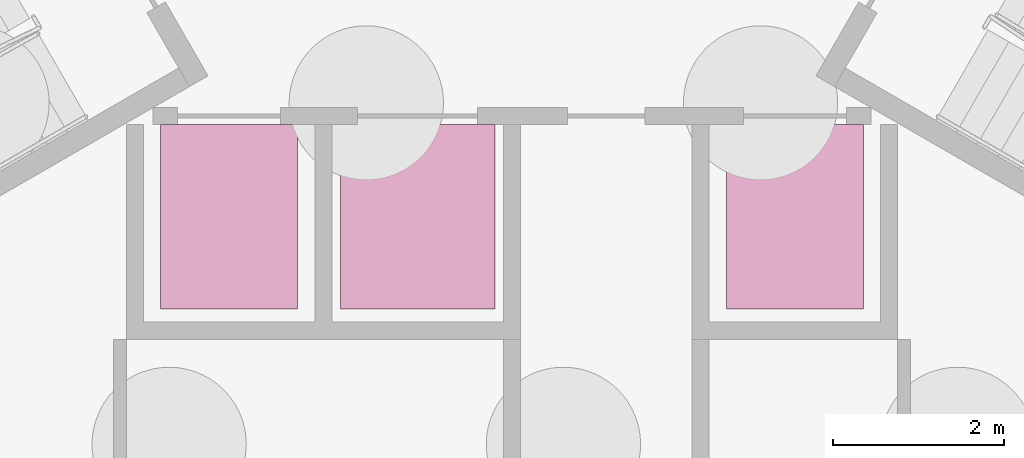
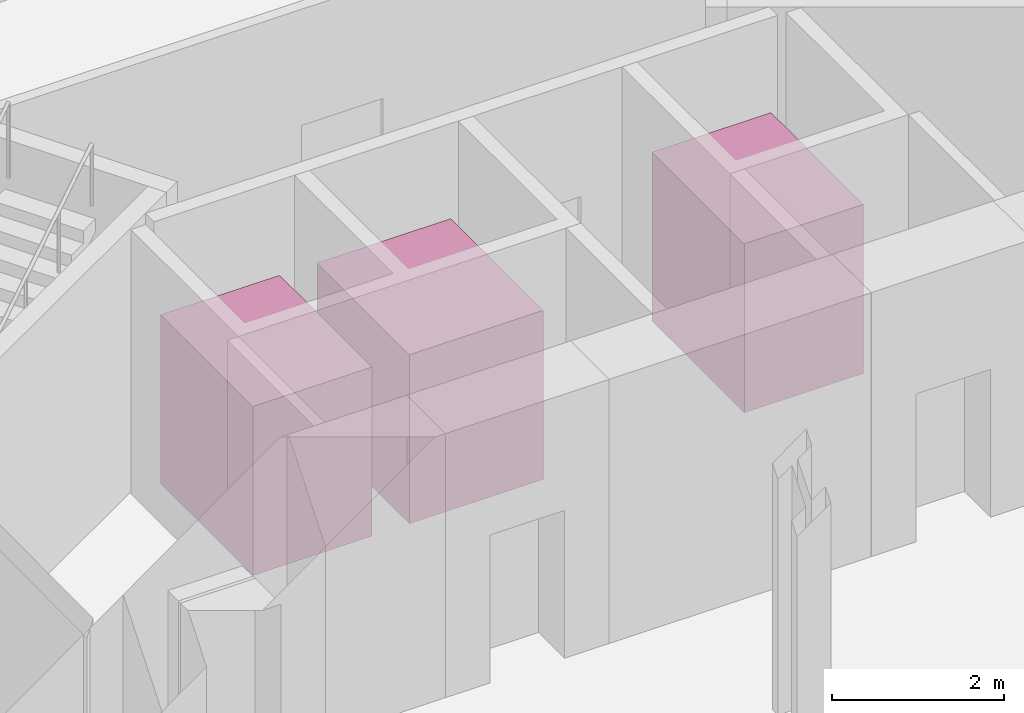
# One storey, part 6 of 6: 3 transport elements.
"""IFC4 building model written with IfcOpenShell, lengths in metres."""

from ifc_helpers import new_model, si_unit, direction, frame, origin, origin_2d, place, context, subcontext, project, spatial, rectangle, extrude, material, type_object, element, save


model = new_model("IFC4")

# Units and contexts
model_context = context("Model", 3, precision=1e-05, world=origin(), true_north=direction((0.0, 1.0)))
body_context = subcontext(model_context, "Body", "Model", "MODEL_VIEW")
ifc_project = project(units=[si_unit("LENGTHUNIT", "METRE"), si_unit("AREAUNIT", "SQUARE_METRE"), si_unit("VOLUMEUNIT", "CUBIC_METRE"), si_unit("PLANEANGLEUNIT", "RADIAN"), si_unit("MASSUNIT", "GRAM", prefix="KILO")], contexts=[model_context])

# Site, building, storey
site_placement = place(None, origin())
site = spatial("IfcSite", under=ifc_project, at=site_placement, CompositionType="ELEMENT")
building_placement = place(site_placement, origin())
building = spatial("IfcBuilding", under=site, at=building_placement, Name="Cormorant Prow Tower", CompositionType="ELEMENT")
storey_placement = place(building_placement, frame((0.0, 0.0, -8.39990234375)))
storey = spatial("IfcBuildingStorey", under=building, at=storey_placement, Name="B2", CompositionType="ELEMENT", Elevation=-8.39990234375)

# Transport elements
ifc_material_1 = material(Name="Stainless steel", Category="steel")
transport_element_type_1 = type_object("IfcTransportElementType", Name="Service lift car 1800x2150", PredefinedType="ELEVATOR", material=ifc_material_1)
transport_element_placement = place(storey_placement, frame((-1.10009765625, -5.47509765625, 0.0), z_axis=(0.0, 0.0, 1.0), x_axis=(1.0, 0.0, 0.0)))
element("IfcTransportElement", 1, at=transport_element_placement, inside=storey, type_object=transport_element_type_1, Name="Service lift SL1", PredefinedType="ELEVATOR", context=body_context, shape_type="SweptSolid", body=[
    extrude(rectangle(XDim=1.800048828125, YDim=2.14990234375, at=origin_2d()), origin(), (0.0, 0.0, 1.0), 2.39990234375),
])
ifc_material_2 = material(Name="Stainless steel", Category="steel")
transport_element_type_2 = type_object("IfcTransportElementType", Name="Stretcher lift car 1600x2150", PredefinedType="ELEVATOR", material=ifc_material_2)
for number, where, z_axis, x_axis, name in (
    (2, (-3.300048828125, -5.47509765625, 0.0), (0.0, 0.0, 1.0), (1.0, 0.0, 0.0), "Firefighting lift FL1"),
    (3, (3.300048828125, -5.47509765625, 0.0), (0.0, 0.0, 1.0), (1.0, 0.0, 0.0), "Firefighting lift FL2"),
):
    element("IfcTransportElement", number, at=place(storey_placement, frame(where, z_axis=z_axis, x_axis=x_axis)), inside=storey, type_object=transport_element_type_2, Name=name, PredefinedType="ELEVATOR", context=body_context, shape_type="SweptSolid", body=[
        extrude(rectangle(XDim=1.60009765625, YDim=2.14990234375, at=origin_2d()), origin(), (0.0, 0.0, 1.0), 2.39990234375),
    ])

save(model, "model.ifc")
